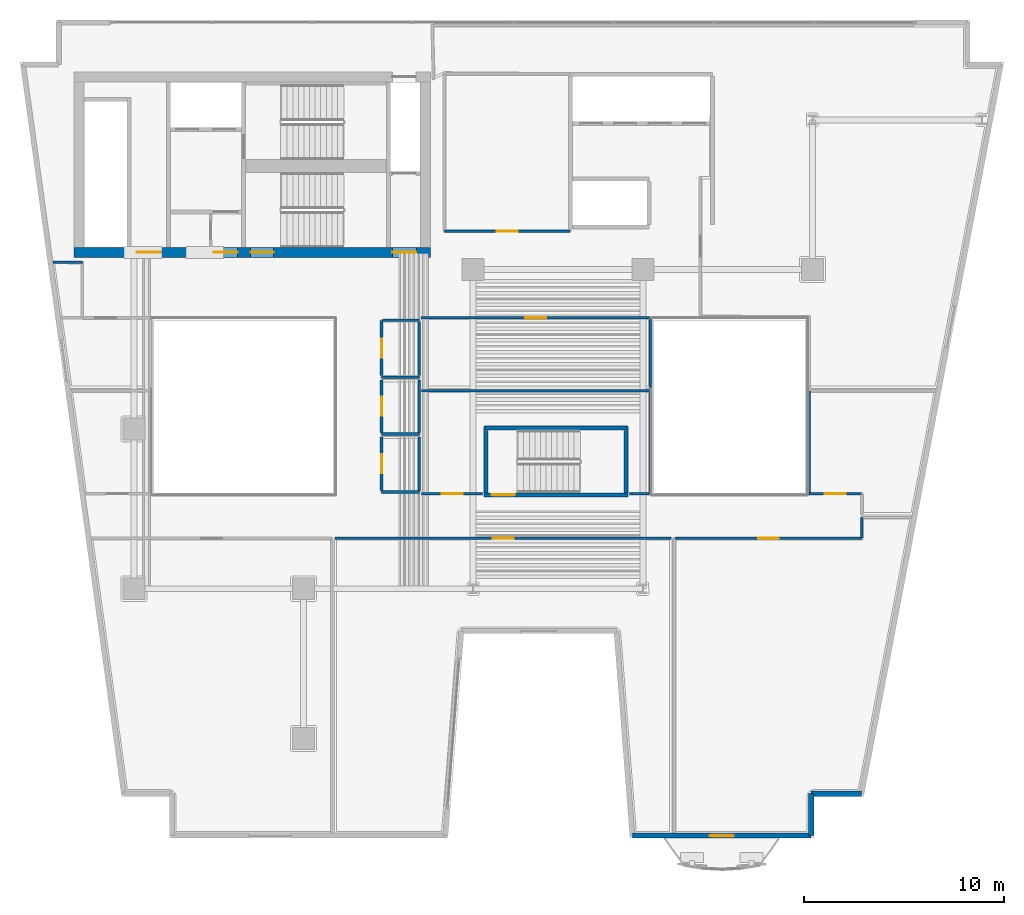
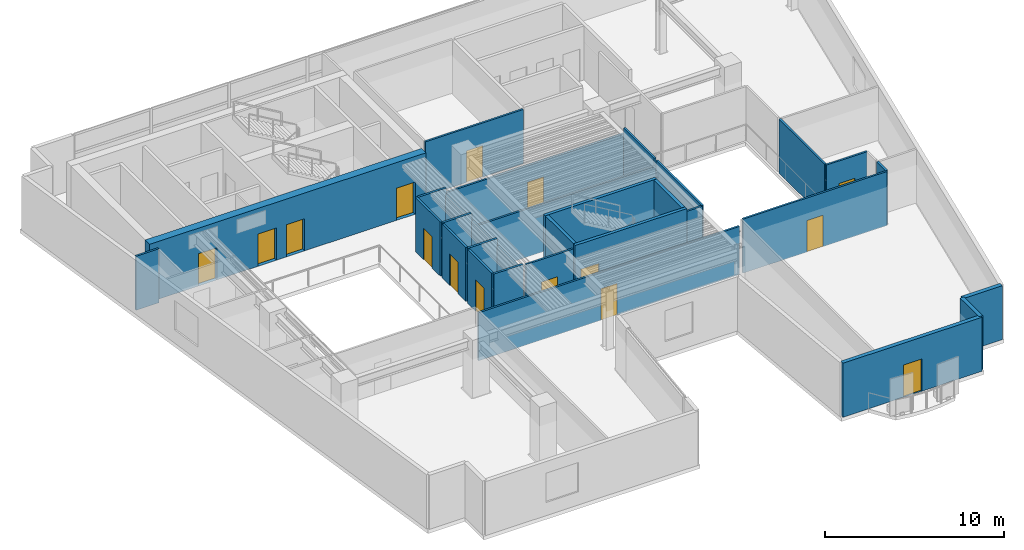
# One storey, part 6 of 13: 31 walls, 15 doors, 15 openings.
"""IFC4 building model written with IfcOpenShell, lengths in metres."""

from ifc_helpers import new_model, si_unit, direction, frame, frame_2d, origin, place, context, subcontext, project, spatial, rectangle, extrude, material, layer, layer_set, type_object, element, fill, save


model = new_model("IFC4")

# Units and contexts
model_context = context("Model", 3, precision=1e-05, world=origin(), true_north=direction((0.0, 1.0)))
body_context = subcontext(model_context, "Body", "Model", "MODEL_VIEW")
ifc_project = project(units=[si_unit("LENGTHUNIT", "METRE"), si_unit("AREAUNIT", "SQUARE_METRE"), si_unit("VOLUMEUNIT", "CUBIC_METRE"), si_unit("PLANEANGLEUNIT", "RADIAN"), si_unit("MASSUNIT", "GRAM", prefix="KILO")], contexts=[model_context])

# Site, building, storey
site_placement = place(None, origin())
site = spatial("IfcSite", under=ifc_project, at=site_placement, CompositionType="ELEMENT")
building_placement = place(site_placement, origin())
building = spatial("IfcBuilding", under=site, at=building_placement, Name="Caeloran Harvest Quay", CompositionType="ELEMENT")
storey_placement = place(building_placement, frame((0.0, 0.0, 143.0)))
storey = spatial("IfcBuildingStorey", under=building, at=storey_placement, Name="L33", CompositionType="ELEMENT", Elevation=143.0)

# Walls
ifc_material_1 = material(Name="Precast concrete C50/60", Category="concrete")
ifc_layer_1 = layer(ifc_material_1, 0.260009765625, Name="Precast concrete C50/60")
ifc_layer_set_1 = layer_set([ifc_layer_1], Name="Precast concrete C50/60")
wall_type_1 = type_object("IfcWallType", Name="ENV-WALL-EW-260", PredefinedType="STANDARD", material=ifc_layer_set_1)
wall_1_placement = place(storey_placement, frame((44.96337890625, 4.72998046875, 0.0), z_axis=(0.0, 0.0, 1.0), x_axis=(-1.0, 0.0, 0.0)))
element("IfcWall", 1, at=wall_1_placement, inside=storey, type_object=wall_type_1, Name="L33 Exterior Precast Concrete Facade Wall 10", PredefinedType="STANDARD", context=body_context, shape_type="SweptSolid", body=[
    extrude(rectangle(XDim=2.5234375, YDim=0.260009765625, at=frame_2d((1.26171875, 0.0))), origin(), (0.0, 0.0, 1.0), 3.68994140625),
])
wall_2_placement = place(storey_placement, frame((42.43994140625, 4.72998046875, 0.0), z_axis=(0.0, 0.0, 1.0), x_axis=(0.0, -1.0, 0.0)))
element("IfcWall", 2, at=wall_2_placement, inside=storey, type_object=wall_type_1, Name="L33 Exterior Precast Concrete Facade Wall 11", PredefinedType="STANDARD", context=body_context, shape_type="SweptSolid", body=[
    extrude(rectangle(XDim=2.10009765625, YDim=0.260009765625, at=frame_2d((1.050048828125, 0.0))), origin(), (0.0, 0.0, 1.0), 3.68994140625),
])

# Wall, opening, door
wall_3_placement = place(storey_placement, frame((42.43994140625, 2.6298828125, 0.0), z_axis=(0.0, 0.0, 1.0), x_axis=(-1.0, 0.0, 0.0)))
wall_3 = element("IfcWall", 3, at=wall_3_placement, inside=storey, type_object=wall_type_1, Name="L33 Exterior Precast Concrete Facade Wall 12", PredefinedType="STANDARD", context=body_context, shape_type="SweptSolid", body=[
    extrude(rectangle(XDim=8.96484375, YDim=0.260009765625, at=frame_2d((4.482421875, 0.0))), origin(), (0.0, 0.0, 1.0), 3.68994140625),
])
opening_1_placement = place(wall_3_placement, frame((3.882080078125, 0.0, 0.0)))
opening_1 = element("IfcOpeningElement", 4, at=opening_1_placement, cuts=wall_3, Name="Opening BD-01", PredefinedType="OPENING", context=body_context, shape_type="SweptSolid", body=[
    extrude(rectangle(XDim=1.199951171875, YDim=2.199951171875, at=frame_2d((0.60009765625, 1.10009765625))), frame((0.0, 0.14013671875, 0.0), z_axis=(0.0, -1.0, 0.0), x_axis=(1.0, 0.0, 0.0)), (0.0, 0.0, 1.0), 0.280029296875),
])
ifc_material_2 = material(Name="Thermally Broken Powder-Coated Aluminium and Safety Glass", Category="aluminium")
door_type_1 = type_object("IfcDoorType", Name="EXTDOOR-BD-01", OperationType="NOTDEFINED", PredefinedType="DOOR", material=ifc_material_2)
door_1_placement = place(opening_1_placement, origin())
door_1 = element("IfcDoor", 5, at=door_1_placement, inside=storey, type_object=door_type_1, Name="L33 Planted Balcony Glazed Access Door", OperationType="SINGLE_SWING_RIGHT", OverallHeight=2.199951171875, OverallWidth=1.199951171875, PredefinedType="DOOR", context=body_context, shape_type="SweptSolid", body=[
    extrude(rectangle(XDim=1.199951171875, YDim=2.199951171875, at=frame_2d((0.60009765625, 1.10009765625))), frame((0.0, 0.02490234375, 0.0), z_axis=(0.0, -1.0, 0.0), x_axis=(1.0, 0.0, 0.0)), (0.0, 0.0, 1.0), 0.050048828125),
])
fill(opening_1, door_1)

ifc_material_3 = material(Name="Twin-Stud Mineral-Wool Acoustic Gypsum Partition", Category="gypsum")
ifc_layer_2 = layer(ifc_material_3, 0.125, Name="Twin-Stud Mineral-Wool Acoustic Gypsum Partition")
ifc_layer_set_2 = layer_set([ifc_layer_2], Name="Twin-Stud Mineral-Wool Acoustic Gypsum Partition")
wall_type_2 = type_object("IfcWallType", Name="INT-WALL-PW-125", PredefinedType="PARTITIONING", material=ifc_layer_set_2)
wall_4_placement = place(storey_placement, frame((30.35009765625, 32.919921875, 0.0), z_axis=(0.0, 0.0, 1.0), x_axis=(-1.0, 0.0, 0.0)))
wall_4 = element("IfcWall", 6, at=wall_4_placement, inside=storey, type_object=wall_type_2, Name="L33 Bioinformatics and Crop Phenotyping Laboratory Partition Wall", PredefinedType="PARTITIONING", context=body_context, shape_type="SweptSolid", body=[
    extrude(rectangle(XDim=6.300048828125, YDim=0.125, at=frame_2d((3.14990234375, 0.0))), origin(), (0.0, 0.0, 1.0), 3.68994140625),
])
opening_2_placement = place(wall_4_placement, frame((2.625, 0.0, 0.0)))
opening_2 = element("IfcOpeningElement", 7, at=opening_2_placement, cuts=wall_4, Name="Opening ID-03", PredefinedType="OPENING", context=body_context, shape_type="SweptSolid", body=[
    extrude(rectangle(XDim=1.050048828125, YDim=2.14990234375, at=frame_2d((0.52490234375, 1.074951171875))), frame((0.0, 0.072509765625, 0.0), z_axis=(0.0, -1.0, 0.0), x_axis=(1.0, 0.0, 0.0)), (0.0, 0.0, 1.0), 0.14501953125),
])
ifc_material_4 = material(Name="FSC Solid-Core Oak Timber Leaf", Category="wood")
door_type_2 = type_object("IfcDoorType", Name="INTDOOR-ID-03", OperationType="NOTDEFINED", PredefinedType="DOOR", material=ifc_material_4)
door_2_placement = place(opening_2_placement, origin())
door_2 = element("IfcDoor", 8, at=door_2_placement, inside=storey, type_object=door_type_2, Name="L33 Bioinformatics and Crop Phenotyping Laboratory Access Door", OperationType="SINGLE_SWING_LEFT", OverallHeight=2.14990234375, OverallWidth=1.050048828125, PredefinedType="DOOR", context=body_context, shape_type="SweptSolid", body=[
    extrude(rectangle(XDim=1.050048828125, YDim=2.14990234375, at=frame_2d((0.52490234375, 1.074951171875))), frame((0.0, 0.02490234375, 0.0), z_axis=(0.0, -1.0, 0.0), x_axis=(1.0, 0.0, 0.0)), (0.0, 0.0, 1.0), 0.050048828125),
])
fill(opening_2, door_2)

# Wall
wall_5_placement = place(storey_placement, frame((44.97998046875, 17.550048828125, 0.0), z_axis=(0.0, 0.0, 1.0), x_axis=(0.0, 1.0, 0.0)))
element("IfcWall", 9, at=wall_5_placement, inside=storey, type_object=wall_type_2, Name="Food Texture Sensory Laboratory Partition Wall", PredefinedType="PARTITIONING", context=body_context, shape_type="SweptSolid", body=[
    extrude(rectangle(XDim=1.02001953125, YDim=0.125, at=frame_2d((0.510009765625, 0.0))), origin(), (0.0, 0.0, 1.0), 3.68994140625),
])

# Wall, opening, door
wall_6_placement = place(storey_placement, frame((35.6474609375, 17.52001953125, 0.0), z_axis=(0.0, 0.0, 1.0), x_axis=(1.0, 0.0, 0.0)))
wall_6 = element("IfcWall", 10, at=wall_6_placement, inside=storey, type_object=wall_type_2, Name="Food Texture Sensory Laboratory Partition Wall", PredefinedType="PARTITIONING", context=body_context, shape_type="SweptSolid", body=[
    extrude(rectangle(XDim=9.302490234375, YDim=0.125, at=frame_2d((4.6513671875, 0.0))), origin(), (0.0, 0.0, 1.0), 3.68994140625),
])
opening_3_placement = place(wall_6_placement, frame((4.126220703125, 0.0, 0.0)))
opening_3 = element("IfcOpeningElement", 11, at=opening_3_placement, cuts=wall_6, Name="Opening ID-03", PredefinedType="OPENING", context=body_context, shape_type="SweptSolid", body=[
    extrude(rectangle(XDim=1.050048828125, YDim=2.14990234375, at=frame_2d((0.52490234375, 1.074951171875))), frame((0.0, 0.072509765625, 0.0), z_axis=(0.0, -1.0, 0.0), x_axis=(1.0, 0.0, 0.0)), (0.0, 0.0, 1.0), 0.14501953125),
])
door_3_placement = place(opening_3_placement, origin())
door_3 = element("IfcDoor", 12, at=door_3_placement, inside=storey, type_object=door_type_2, Name="Food Texture Sensory Laboratory Access Door", OperationType="SINGLE_SWING_RIGHT", OverallHeight=2.14990234375, OverallWidth=1.050048828125, PredefinedType="DOOR", context=body_context, shape_type="SweptSolid", body=[
    extrude(rectangle(XDim=1.050048828125, YDim=2.14990234375, at=frame_2d((0.52490234375, 1.074951171875))), frame((0.0, 0.02490234375, 0.0), z_axis=(0.0, -1.0, 0.0), x_axis=(1.0, 0.0, 0.0)), (0.0, 0.0, 1.0), 0.050048828125),
])
fill(opening_3, door_3)

wall_7_placement = place(storey_placement, frame((18.580078125, 17.52001953125, 0.0), z_axis=(0.0, 0.0, 1.0), x_axis=(1.0, 0.0, 0.0)))
wall_7 = element("IfcWall", 13, at=wall_7_placement, inside=storey, type_object=wall_type_2, Name="Fermentation Pilot Laboratory Partition Wall", PredefinedType="PARTITIONING", context=body_context, shape_type="SweptSolid", body=[
    extrude(rectangle(XDim=16.83984375, YDim=0.125, at=frame_2d((8.419921875, 0.0))), origin(), (0.0, 0.0, 1.0), 3.27490234375),
])
opening_4_placement = place(wall_7_placement, frame((7.89501953125, 0.0, 0.0)))
opening_4 = element("IfcOpeningElement", 14, at=opening_4_placement, cuts=wall_7, Name="Opening ID-03", PredefinedType="OPENING", context=body_context, shape_type="SweptSolid", body=[
    extrude(rectangle(XDim=1.050048828125, YDim=2.14990234375, at=frame_2d((0.52490234375, 1.074951171875))), frame((0.0, 0.072509765625, 0.0), z_axis=(0.0, -1.0, 0.0), x_axis=(1.0, 0.0, 0.0)), (0.0, 0.0, 1.0), 0.14501953125),
])
door_4_placement = place(opening_4_placement, origin())
door_4 = element("IfcDoor", 15, at=door_4_placement, inside=storey, type_object=door_type_2, Name="Fermentation Pilot Laboratory Access Door", OperationType="SINGLE_SWING_LEFT", OverallHeight=2.14990234375, OverallWidth=1.050048828125, PredefinedType="DOOR", context=body_context, shape_type="SweptSolid", body=[
    extrude(rectangle(XDim=1.050048828125, YDim=2.14990234375, at=frame_2d((0.52490234375, 1.074951171875))), frame((0.0, 0.02490234375, 0.0), z_axis=(0.0, -1.0, 0.0), x_axis=(1.0, 0.0, 0.0)), (0.0, 0.0, 1.0), 0.050048828125),
])
fill(opening_4, door_4)

wall_8_placement = place(storey_placement, frame((44.949951171875, 19.75, 0.0), z_axis=(0.0, 0.0, 1.0), x_axis=(-1.0, 0.0, 0.0)))
wall_8 = element("IfcWall", 16, at=wall_8_placement, inside=storey, type_object=wall_type_2, Name="Bioreactor Pilot Hall Partition Wall", PredefinedType="PARTITIONING", context=body_context, shape_type="SweptSolid", body=[
    extrude(rectangle(XDim=2.619873046875, YDim=0.125, at=frame_2d((1.31005859375, 0.0))), origin(), (0.0, 0.0, 1.0), 3.68994140625),
])
opening_5_placement = place(wall_8_placement, frame((0.784912109375, 0.0, 0.0)))
opening_5 = element("IfcOpeningElement", 17, at=opening_5_placement, cuts=wall_8, Name="Opening ID-03", PredefinedType="OPENING", context=body_context, shape_type="SweptSolid", body=[
    extrude(rectangle(XDim=1.050048828125, YDim=2.14990234375, at=frame_2d((0.52490234375, 1.074951171875))), frame((0.0, 0.072509765625, 0.0), z_axis=(0.0, -1.0, 0.0), x_axis=(1.0, 0.0, 0.0)), (0.0, 0.0, 1.0), 0.14501953125),
])
door_5_placement = place(opening_5_placement, origin())
door_5 = element("IfcDoor", 18, at=door_5_placement, inside=storey, type_object=door_type_2, Name="Bioreactor Pilot Hall Access Door", OperationType="SINGLE_SWING_RIGHT", OverallHeight=2.14990234375, OverallWidth=1.050048828125, PredefinedType="DOOR", context=body_context, shape_type="SweptSolid", body=[
    extrude(rectangle(XDim=1.050048828125, YDim=2.14990234375, at=frame_2d((0.52490234375, 1.074951171875))), frame((0.0, 0.02490234375, 0.0), z_axis=(0.0, -1.0, 0.0), x_axis=(1.0, 0.0, 0.0)), (0.0, 0.0, 1.0), 0.050048828125),
])
fill(opening_5, door_5)

# Wall
wall_9_placement = place(storey_placement, frame((42.330078125, 19.8173828125, 0.0), z_axis=(0.0, 0.0, 1.0), x_axis=(0.0, 1.0, 0.0)))
element("IfcWall", 19, at=wall_9_placement, inside=storey, type_object=wall_type_2, Name="Bioreactor Pilot Hall Partition Wall", PredefinedType="PARTITIONING", context=body_context, shape_type="SweptSolid", body=[
    extrude(rectangle(XDim=5.1025390625, YDim=0.125, at=frame_2d((2.55126953125, 0.0))), origin(), (0.0, 0.0, 1.0), 3.68994140625),
])

# Wall, opening, door
wall_10_placement = place(storey_placement, frame((25.9755859375, 19.75, 0.0), z_axis=(0.0, 0.0, 1.0), x_axis=(-1.0, 0.0, 0.0)))
wall_10 = element("IfcWall", 20, at=wall_10_placement, inside=storey, type_object=wall_type_2, Name="Sensory Tasting Kitchen Partition Wall", PredefinedType="PARTITIONING", context=body_context, shape_type="SweptSolid", body=[
    extrude(rectangle(XDim=3.065673828125, YDim=0.125, at=frame_2d((1.53271484375, 0.0))), origin(), (0.0, 0.0, 1.0), 3.68994140625),
])
opening_6_placement = place(wall_10_placement, frame((1.0078125, 0.0, 0.0)))
opening_6 = element("IfcOpeningElement", 21, at=opening_6_placement, cuts=wall_10, Name="Opening ID-03", PredefinedType="OPENING", context=body_context, shape_type="SweptSolid", body=[
    extrude(rectangle(XDim=1.050048828125, YDim=2.14990234375, at=frame_2d((0.52490234375, 1.074951171875))), frame((0.0, 0.072509765625, 0.0), z_axis=(0.0, -1.0, 0.0), x_axis=(1.0, 0.0, 0.0)), (0.0, 0.0, 1.0), 0.14501953125),
])
door_6_placement = place(opening_6_placement, origin())
door_6 = element("IfcDoor", 22, at=door_6_placement, inside=storey, type_object=door_type_2, Name="Sensory Tasting Kitchen Access Door", OperationType="SINGLE_SWING_RIGHT", OverallHeight=2.14990234375, OverallWidth=1.050048828125, PredefinedType="DOOR", context=body_context, shape_type="SweptSolid", body=[
    extrude(rectangle(XDim=1.050048828125, YDim=2.14990234375, at=frame_2d((0.52490234375, 1.074951171875))), frame((0.0, 0.02490234375, 0.0), z_axis=(0.0, -1.0, 0.0), x_axis=(1.0, 0.0, 0.0)), (0.0, 0.0, 1.0), 0.050048828125),
])
fill(opening_6, door_6)

# Walls
wall_11_placement = place(storey_placement, frame((22.909912109375, 24.919921875, 0.0), z_axis=(0.0, 0.0, 1.0), x_axis=(1.0, 0.0, 0.0)))
element("IfcWall", 23, at=wall_11_placement, inside=storey, type_object=wall_type_2, Name="Sensory Tasting Kitchen Partition Wall", PredefinedType="PARTITIONING", context=body_context, shape_type="SweptSolid", body=[
    extrude(rectangle(XDim=11.460205078125, YDim=0.125, at=frame_2d((5.72998046875, 0.0))), origin(), (0.0, 0.0, 1.0), 3.27490234375),
])
wall_12_placement = place(storey_placement, frame((34.3701171875, 24.8525390625, 0.0), z_axis=(0.0, 0.0, 1.0), x_axis=(0.0, -1.0, 0.0)))
element("IfcWall", 24, at=wall_12_placement, inside=storey, type_object=wall_type_2, Name="Sensory Tasting Kitchen Partition Wall", PredefinedType="PARTITIONING", context=body_context, shape_type="SweptSolid", body=[
    extrude(rectangle(XDim=5.1025390625, YDim=0.125, at=frame_2d((2.55126953125, 0.0))), origin(), (0.0, 0.0, 1.0), 3.68994140625),
])
wall_13_placement = place(storey_placement, frame((34.302490234375, 19.75, 0.0), z_axis=(0.0, 0.0, 1.0), x_axis=(-1.0, 0.0, 0.0)))
element("IfcWall", 25, at=wall_13_placement, inside=storey, type_object=wall_type_2, Name="Sensory Tasting Kitchen Partition Wall", PredefinedType="PARTITIONING", context=body_context, shape_type="SweptSolid", body=[
    extrude(rectangle(XDim=0.97802734375, YDim=0.125, at=frame_2d((0.489013671875, 0.0))), origin(), (0.0, 0.0, 1.0), 3.68994140625),
])

# Wall, opening, door
wall_14_placement = place(storey_placement, frame((22.889892578125, 28.570068359375, 0.0), z_axis=(0.0, 0.0, 1.0), x_axis=(1.0, 0.0, 0.0)))
wall_14 = element("IfcWall", 26, at=wall_14_placement, inside=storey, type_object=wall_type_2, Name="Staff Wellness Lounge Partition Wall", PredefinedType="PARTITIONING", context=body_context, shape_type="SweptSolid", body=[
    extrude(rectangle(XDim=11.480224609375, YDim=0.125, at=frame_2d((5.740234375, 0.0))), origin(), (0.0, 0.0, 1.0), 3.27490234375),
])
opening_7_placement = place(wall_14_placement, frame((5.215087890625, 0.0, 0.0)))
opening_7 = element("IfcOpeningElement", 27, at=opening_7_placement, cuts=wall_14, Name="Opening ID-03", PredefinedType="OPENING", context=body_context, shape_type="SweptSolid", body=[
    extrude(rectangle(XDim=1.050048828125, YDim=2.14990234375, at=frame_2d((0.52490234375, 1.074951171875))), frame((0.0, 0.072509765625, 0.0), z_axis=(0.0, -1.0, 0.0), x_axis=(1.0, 0.0, 0.0)), (0.0, 0.0, 1.0), 0.14501953125),
])
door_7_placement = place(opening_7_placement, origin())
door_7 = element("IfcDoor", 28, at=door_7_placement, inside=storey, type_object=door_type_2, Name="Staff Wellness Lounge Access Door", OperationType="SINGLE_SWING_LEFT", OverallHeight=2.14990234375, OverallWidth=1.050048828125, PredefinedType="DOOR", context=body_context, shape_type="SweptSolid", body=[
    extrude(rectangle(XDim=1.050048828125, YDim=2.14990234375, at=frame_2d((0.52490234375, 1.074951171875))), frame((0.0, 0.02490234375, 0.0), z_axis=(0.0, -1.0, 0.0), x_axis=(1.0, 0.0, 0.0)), (0.0, 0.0, 1.0), 0.050048828125),
])
fill(opening_7, door_7)

# Walls
wall_15_placement = place(storey_placement, frame((34.3701171875, 28.50244140625, 0.0), z_axis=(0.0, 0.0, 1.0), x_axis=(0.0, -1.0, 0.0)))
element("IfcWall", 29, at=wall_15_placement, inside=storey, type_object=wall_type_2, Name="Staff Wellness Lounge Partition Wall", PredefinedType="PARTITIONING", context=body_context, shape_type="SweptSolid", body=[
    extrude(rectangle(XDim=3.42236328125, YDim=0.125, at=frame_2d((1.711181640625, 0.0))), origin(), (0.0, 0.0, 1.0), 3.68994140625),
])
wall_16_placement = place(storey_placement, frame((4.44775390625, 31.35009765625, 0.0), z_axis=(0.0, 0.0, 1.0), x_axis=(1.0, 0.0, 0.0)))
element("IfcWall", 30, at=wall_16_placement, inside=storey, type_object=wall_type_2, Name="Cellular Agriculture Bioprocess Laboratory 8 Partition Wall", PredefinedType="PARTITIONING", context=body_context, shape_type="SweptSolid", body=[
    extrude(rectangle(XDim=1.47216796875, YDim=0.125, at=frame_2d((0.736083984375, 0.0))), origin(), (0.0, 0.0, 1.0), 3.68994140625),
])
ifc_material_5 = material(Name="Moisture-Resistant Cement-Board Sanitary Partition", Category="gypsum")
ifc_layer_3 = layer(ifc_material_5, 0.139892578125, Name="Moisture-Resistant Cement-Board Sanitary Partition")
ifc_layer_set_3 = layer_set([ifc_layer_3], Name="Moisture-Resistant Cement-Board Sanitary Partition")
wall_type_3 = type_object("IfcWallType", Name="INT-WALL-PW-140", PredefinedType="PARTITIONING", material=ifc_layer_set_3)
wall_17_placement = place(storey_placement, frame((22.800048828125, 25.60009765625, 0.0), z_axis=(0.0, 0.0, 1.0), x_axis=(-1.0, 0.0, 0.0)))
element("IfcWall", 31, at=wall_17_placement, inside=storey, type_object=wall_type_3, Name="L33 Male Washroom WC Partition Wall", PredefinedType="PARTITIONING", context=body_context, shape_type="SweptSolid", body=[
    extrude(rectangle(XDim=1.89013671875, YDim=0.139892578125, at=frame_2d((0.945068359375, 0.0))), origin(), (0.0, 0.0, 1.0), 3.68994140625),
])

# Wall, opening, door
wall_18_placement = place(storey_placement, frame((20.909912109375, 25.675048828125, 0.0), z_axis=(0.0, 0.0, 1.0), x_axis=(0.0, 1.0, 0.0)))
wall_18 = element("IfcWall", 32, at=wall_18_placement, inside=storey, type_object=wall_type_3, Name="L33 Male Washroom WC Partition Wall", PredefinedType="PARTITIONING", context=body_context, shape_type="SweptSolid", body=[
    extrude(rectangle(XDim=2.77490234375, YDim=0.139892578125, at=frame_2d((1.387451171875, 0.0))), origin(), (0.0, 0.0, 1.0), 3.68994140625),
])
opening_8_placement = place(wall_18_placement, frame((0.91259765625, 0.0, 0.0)))
opening_8 = element("IfcOpeningElement", 33, at=opening_8_placement, cuts=wall_18, Name="Opening WC-01", PredefinedType="OPENING", context=body_context, shape_type="SweptSolid", body=[
    extrude(rectangle(XDim=0.949951171875, YDim=2.14990234375, at=frame_2d((0.47509765625, 1.074951171875))), frame((0.0, 0.080078125, 0.0), z_axis=(0.0, -1.0, 0.0), x_axis=(1.0, 0.0, 0.0)), (0.0, 0.0, 1.0), 0.159912109375),
])
ifc_material_6 = material(Name="High-Pressure Laminate Moisture-Resistant Timber", Category="wood")
door_type_3 = type_object("IfcDoorType", Name="INTDOOR-WC-01", OperationType="NOTDEFINED", PredefinedType="DOOR", material=ifc_material_6)
door_8_placement = place(opening_8_placement, origin())
door_8 = element("IfcDoor", 34, at=door_8_placement, inside=storey, type_object=door_type_3, Name="L33 Male Washroom WC Access Door", OperationType="SINGLE_SWING_RIGHT", OverallHeight=2.14990234375, OverallWidth=0.949951171875, PredefinedType="DOOR", context=body_context, shape_type="SweptSolid", body=[
    extrude(rectangle(XDim=0.949951171875, YDim=2.14990234375, at=frame_2d((0.47509765625, 1.074951171875))), frame((0.0, 0.02490234375, 0.0), z_axis=(0.0, -1.0, 0.0), x_axis=(1.0, 0.0, 0.0)), (0.0, 0.0, 1.0), 0.050048828125),
])
fill(opening_8, door_8)

# Walls
wall_19_placement = place(storey_placement, frame((20.985107421875, 28.449951171875, 0.0), z_axis=(0.0, 0.0, 1.0), x_axis=(1.0, 0.0, 0.0)))
element("IfcWall", 35, at=wall_19_placement, inside=storey, type_object=wall_type_3, Name="L33 Male Washroom WC Partition Wall", PredefinedType="PARTITIONING", context=body_context, shape_type="SweptSolid", body=[
    extrude(rectangle(XDim=1.81494140625, YDim=0.139892578125, at=frame_2d((0.907470703125, 0.0))), origin(), (0.0, 0.0, 1.0), 3.68994140625),
])
wall_20_placement = place(storey_placement, frame((22.800048828125, 28.375, 0.0), z_axis=(0.0, 0.0, 1.0), x_axis=(0.0, -1.0, 0.0)))
element("IfcWall", 36, at=wall_20_placement, inside=storey, type_object=wall_type_3, Name="L33 Male Washroom WC Partition Wall", PredefinedType="PARTITIONING", context=body_context, shape_type="SweptSolid", body=[
    extrude(rectangle(XDim=2.699951171875, YDim=0.139892578125, at=frame_2d((1.35009765625, 0.0))), origin(), (0.0, 0.0, 1.0), 3.27490234375),
])
wall_21_placement = place(storey_placement, frame((22.800048828125, 22.75, 0.0), z_axis=(0.0, 0.0, 1.0), x_axis=(-1.0, 0.0, 0.0)))
element("IfcWall", 37, at=wall_21_placement, inside=storey, type_object=wall_type_3, Name="L33 Female Washroom WC Partition Wall", PredefinedType="PARTITIONING", context=body_context, shape_type="SweptSolid", body=[
    extrude(rectangle(XDim=1.89013671875, YDim=0.139892578125, at=frame_2d((0.945068359375, 0.0))), origin(), (0.0, 0.0, 1.0), 3.68994140625),
])

# Wall, opening, door
wall_22_placement = place(storey_placement, frame((20.909912109375, 22.824951171875, 0.0), z_axis=(0.0, 0.0, 1.0), x_axis=(0.0, 1.0, 0.0)))
wall_22 = element("IfcWall", 38, at=wall_22_placement, inside=storey, type_object=wall_type_3, Name="L33 Female Washroom WC Partition Wall", PredefinedType="PARTITIONING", context=body_context, shape_type="SweptSolid", body=[
    extrude(rectangle(XDim=2.625, YDim=0.139892578125, at=frame_2d((1.3125, 0.0))), origin(), (0.0, 0.0, 1.0), 3.68994140625),
])
opening_9_placement = place(wall_22_placement, frame((0.83740234375, 0.0, 0.0)))
opening_9 = element("IfcOpeningElement", 39, at=opening_9_placement, cuts=wall_22, Name="Opening WC-01", PredefinedType="OPENING", context=body_context, shape_type="SweptSolid", body=[
    extrude(rectangle(XDim=0.949951171875, YDim=2.14990234375, at=frame_2d((0.47509765625, 1.074951171875))), frame((0.0, 0.080078125, 0.0), z_axis=(0.0, -1.0, 0.0), x_axis=(1.0, 0.0, 0.0)), (0.0, 0.0, 1.0), 0.159912109375),
])
door_9_placement = place(opening_9_placement, origin())
door_9 = element("IfcDoor", 40, at=door_9_placement, inside=storey, type_object=door_type_3, Name="L33 Female Washroom WC Access Door", OperationType="SINGLE_SWING_LEFT", OverallHeight=2.14990234375, OverallWidth=0.949951171875, PredefinedType="DOOR", context=body_context, shape_type="SweptSolid", body=[
    extrude(rectangle(XDim=0.949951171875, YDim=2.14990234375, at=frame_2d((0.47509765625, 1.074951171875))), frame((0.0, 0.02490234375, 0.0), z_axis=(0.0, -1.0, 0.0), x_axis=(1.0, 0.0, 0.0)), (0.0, 0.0, 1.0), 0.050048828125),
])
fill(opening_9, door_9)

# Walls
wall_23_placement = place(storey_placement, frame((22.800048828125, 25.449951171875, 0.0), z_axis=(0.0, 0.0, 1.0), x_axis=(0.0, -1.0, 0.0)))
element("IfcWall", 41, at=wall_23_placement, inside=storey, type_object=wall_type_3, Name="L33 Female Washroom WC Partition Wall", PredefinedType="PARTITIONING", context=body_context, shape_type="SweptSolid", body=[
    extrude(rectangle(XDim=2.625, YDim=0.139892578125, at=frame_2d((1.3125, 0.0))), origin(), (0.0, 0.0, 1.0), 3.27490234375),
])
wall_24_placement = place(storey_placement, frame((22.800048828125, 19.85009765625, 0.0), z_axis=(0.0, 0.0, 1.0), x_axis=(-1.0, 0.0, 0.0)))
element("IfcWall", 42, at=wall_24_placement, inside=storey, type_object=wall_type_3, Name="L33 Accessible Unisex Washroom WC Partition Wall", PredefinedType="PARTITIONING", context=body_context, shape_type="SweptSolid", body=[
    extrude(rectangle(XDim=1.89013671875, YDim=0.139892578125, at=frame_2d((0.945068359375, 0.0))), origin(), (0.0, 0.0, 1.0), 3.68994140625),
])

# Wall, opening, door
wall_25_placement = place(storey_placement, frame((20.909912109375, 19.925048828125, 0.0), z_axis=(0.0, 0.0, 1.0), x_axis=(0.0, 1.0, 0.0)))
wall_25 = element("IfcWall", 43, at=wall_25_placement, inside=storey, type_object=wall_type_3, Name="L33 Accessible Unisex Washroom WC Partition Wall", PredefinedType="PARTITIONING", context=body_context, shape_type="SweptSolid", body=[
    extrude(rectangle(XDim=2.675048828125, YDim=0.139892578125, at=frame_2d((1.33740234375, 0.0))), origin(), (0.0, 0.0, 1.0), 3.68994140625),
])
opening_10_placement = place(wall_25_placement, frame((0.862548828125, 0.0, 0.0)))
opening_10 = element("IfcOpeningElement", 44, at=opening_10_placement, cuts=wall_25, Name="Opening WC-01", PredefinedType="OPENING", context=body_context, shape_type="SweptSolid", body=[
    extrude(rectangle(XDim=0.949951171875, YDim=2.14990234375, at=frame_2d((0.47509765625, 1.074951171875))), frame((0.0, 0.080078125, 0.0), z_axis=(0.0, -1.0, 0.0), x_axis=(1.0, 0.0, 0.0)), (0.0, 0.0, 1.0), 0.159912109375),
])
door_10_placement = place(opening_10_placement, origin())
door_10 = element("IfcDoor", 45, at=door_10_placement, inside=storey, type_object=door_type_3, Name="L33 Accessible Unisex Washroom WC Access Door", OperationType="SINGLE_SWING_RIGHT", OverallHeight=2.14990234375, OverallWidth=0.949951171875, PredefinedType="DOOR", context=body_context, shape_type="SweptSolid", body=[
    extrude(rectangle(XDim=0.949951171875, YDim=2.14990234375, at=frame_2d((0.47509765625, 1.074951171875))), frame((0.0, 0.02490234375, 0.0), z_axis=(0.0, -1.0, 0.0), x_axis=(1.0, 0.0, 0.0)), (0.0, 0.0, 1.0), 0.050048828125),
])
fill(opening_10, door_10)

# Wall
wall_26_placement = place(storey_placement, frame((22.800048828125, 22.60009765625, 0.0), z_axis=(0.0, 0.0, 1.0), x_axis=(0.0, -1.0, 0.0)))
element("IfcWall", 46, at=wall_26_placement, inside=storey, type_object=wall_type_3, Name="L33 Accessible Unisex Washroom WC Partition Wall", PredefinedType="PARTITIONING", context=body_context, shape_type="SweptSolid", body=[
    extrude(rectangle(XDim=2.675048828125, YDim=0.139892578125, at=frame_2d((1.33740234375, 0.0))), origin(), (0.0, 0.0, 1.0), 3.27490234375),
])

# Wall, openings, doors
ifc_material_7 = material(Name="Concrete C70/85", Category="concrete")
ifc_layer_4 = layer(ifc_material_7, 0.5, Name="Concrete C70/85")
ifc_layer_set_4 = layer_set([ifc_layer_4], Name="Concrete C70/85")
wall_type_4 = type_object("IfcWallType", Name="STR-WALL-CW-500", PredefinedType="SHEAR", material=ifc_layer_set_4)
wall_27_placement = place(storey_placement, frame((5.5, 31.85009765625, 0.0), z_axis=(0.0, 0.0, 1.0), x_axis=(1.0, 0.0, 0.0)))
wall_27 = element("IfcWall", 47, at=wall_27_placement, inside=storey, type_object=wall_type_4, Name="L33 Rear Core Shear Wall S", PredefinedType="SHEAR", context=body_context, shape_type="SweptSolid", body=[
    extrude(rectangle(XDim=17.85009765625, YDim=0.5, at=frame_2d((8.925048828125, 0.0))), origin(), (0.0, 0.0, 1.0), 3.949951171875),
])
opening_11_placement = place(wall_27_placement, frame((3.14990234375, 0.0, 0.0)))
opening_11 = element("IfcOpeningElement", 48, at=opening_11_placement, cuts=wall_27, Name="Opening FD-01", PredefinedType="OPENING", context=body_context, shape_type="SweptSolid", body=[
    extrude(rectangle(XDim=1.199951171875, YDim=2.199951171875, at=frame_2d((0.60009765625, 1.10009765625))), frame((0.0, 0.260009765625, 0.0), z_axis=(0.0, -1.0, 0.0), x_axis=(1.0, 0.0, 0.0)), (0.0, 0.0, 1.0), 0.52001953125),
])
opening_12_placement = place(wall_27_placement, frame((7.0, 0.0, 0.0)))
opening_12 = element("IfcOpeningElement", 49, at=opening_12_placement, cuts=wall_27, Name="Opening FD-01", PredefinedType="OPENING", context=body_context, shape_type="SweptSolid", body=[
    extrude(rectangle(XDim=1.199951171875, YDim=2.199951171875, at=frame_2d((0.60009765625, 1.10009765625))), frame((0.0, 0.260009765625, 0.0), z_axis=(0.0, -1.0, 0.0), x_axis=(1.0, 0.0, 0.0)), (0.0, 0.0, 1.0), 0.52001953125),
])
opening_13_placement = place(wall_27_placement, frame((8.85009765625, 0.0, 0.0)))
opening_13 = element("IfcOpeningElement", 50, at=opening_13_placement, cuts=wall_27, Name="Opening SD-01", PredefinedType="OPENING", context=body_context, shape_type="SweptSolid", body=[
    extrude(rectangle(XDim=1.14990234375, YDim=2.199951171875, at=frame_2d((0.574951171875, 1.10009765625))), frame((0.0, 0.260009765625, 0.0), z_axis=(0.0, -1.0, 0.0), x_axis=(1.0, 0.0, 0.0)), (0.0, 0.0, 1.0), 0.52001953125),
])
opening_14_placement = place(wall_27_placement, frame((15.949951171875, 0.0, 0.0)))
opening_14 = element("IfcOpeningElement", 51, at=opening_14_placement, cuts=wall_27, Name="Opening FD-01", PredefinedType="OPENING", context=body_context, shape_type="SweptSolid", body=[
    extrude(rectangle(XDim=1.199951171875, YDim=2.199951171875, at=frame_2d((0.60009765625, 1.10009765625))), frame((0.0, 0.260009765625, 0.0), z_axis=(0.0, -1.0, 0.0), x_axis=(1.0, 0.0, 0.0)), (0.0, 0.0, 1.0), 0.52001953125),
])
ifc_material_8 = material(Name="Steel", Category="steel")
door_type_4 = type_object("IfcDoorType", Name="INTDOOR-FD-01", OperationType="NOTDEFINED", PredefinedType="DOOR", material=ifc_material_8)
door_11_placement = place(opening_11_placement, origin())
door_11 = element("IfcDoor", 52, at=door_11_placement, inside=storey, type_object=door_type_4, Name="L33 High-Rise Lift Lobby Fire Door", OperationType="SINGLE_SWING_LEFT", OverallHeight=2.199951171875, OverallWidth=1.199951171875, PredefinedType="DOOR", context=body_context, shape_type="SweptSolid", body=[
    extrude(rectangle(XDim=1.199951171875, YDim=2.199951171875, at=frame_2d((0.60009765625, 1.10009765625))), frame((0.0, 0.02490234375, 0.0), z_axis=(0.0, -1.0, 0.0), x_axis=(1.0, 0.0, 0.0)), (0.0, 0.0, 1.0), 0.050048828125),
])
fill(opening_11, door_11)
door_12_placement = place(opening_12_placement, origin())
door_12 = element("IfcDoor", 53, at=door_12_placement, inside=storey, type_object=door_type_4, Name="L33 Firefighting Lobby Vestibule Fire Door", OperationType="SINGLE_SWING_RIGHT", OverallHeight=2.199951171875, OverallWidth=1.199951171875, PredefinedType="DOOR", context=body_context, shape_type="SweptSolid", body=[
    extrude(rectangle(XDim=1.199951171875, YDim=2.199951171875, at=frame_2d((0.60009765625, 1.10009765625))), frame((0.0, 0.02490234375, 0.0), z_axis=(0.0, -1.0, 0.0), x_axis=(1.0, 0.0, 0.0)), (0.0, 0.0, 1.0), 0.050048828125),
])
fill(opening_12, door_12)
door_13_placement = place(opening_14_placement, origin())
door_13 = element("IfcDoor", 54, at=door_13_placement, inside=storey, type_object=door_type_4, Name="L33 Service Lift Lobby Fire Door", OperationType="SINGLE_SWING_RIGHT", OverallHeight=2.199951171875, OverallWidth=1.199951171875, PredefinedType="DOOR", context=body_context, shape_type="SweptSolid", body=[
    extrude(rectangle(XDim=1.199951171875, YDim=2.199951171875, at=frame_2d((0.60009765625, 1.10009765625))), frame((0.0, 0.02490234375, 0.0), z_axis=(0.0, -1.0, 0.0), x_axis=(1.0, 0.0, 0.0)), (0.0, 0.0, 1.0), 0.050048828125),
])
fill(opening_14, door_13)
door_type_5 = type_object("IfcDoorType", Name="INTDOOR-SD-01", OperationType="NOTDEFINED", PredefinedType="DOOR", material=ifc_material_8)
door_14_placement = place(opening_13_placement, origin())
door_14 = element("IfcDoor", 55, at=door_14_placement, inside=storey, type_object=door_type_5, Name="L33 Protected Stair ST-C2 Exit Door", OperationType="SINGLE_SWING_LEFT", OverallHeight=2.199951171875, OverallWidth=1.14990234375, PredefinedType="DOOR", context=body_context, shape_type="SweptSolid", body=[
    extrude(rectangle(XDim=1.14990234375, YDim=2.199951171875, at=frame_2d((0.574951171875, 1.10009765625))), frame((0.0, 0.02490234375, 0.0), z_axis=(0.0, -1.0, 0.0), x_axis=(1.0, 0.0, 0.0)), (0.0, 0.0, 1.0), 0.050048828125),
])
fill(opening_13, door_14)

# Wall, opening, door
ifc_material_9 = material(Name="Concrete C60/75", Category="concrete")
ifc_layer_5 = layer(ifc_material_9, 0.199951171875, Name="Concrete C60/75")
ifc_layer_set_5 = layer_set([ifc_layer_5], Name="Concrete C60/75")
wall_type_5 = type_object("IfcWallType", Name="STR-WALL-SW-200", PredefinedType="SHEAR", material=ifc_layer_set_5)
wall_28_placement = place(storey_placement, frame((26.050048828125, 19.699951171875, 0.0), z_axis=(0.0, 0.0, 1.0), x_axis=(1.0, 0.0, 0.0)))
wall_28 = element("IfcWall", 56, at=wall_28_placement, inside=storey, type_object=wall_type_5, Name="L33 Stair ST-W1 S RC Shaft Shear Wall", PredefinedType="SHEAR", context=body_context, shape_type="SweptSolid", body=[
    extrude(rectangle(XDim=7.199951171875, YDim=0.199951171875, at=frame_2d((3.60009765625, 0.0))), origin(), (0.0, 0.0, 1.0), 3.949951171875),
])
opening_15_placement = place(wall_28_placement, frame((0.3798828125, 0.0, 0.0)))
opening_15 = element("IfcOpeningElement", 57, at=opening_15_placement, cuts=wall_28, Name="Opening SD-01", PredefinedType="OPENING", context=body_context, shape_type="SweptSolid", body=[
    extrude(rectangle(XDim=1.14990234375, YDim=2.199951171875, at=frame_2d((0.574951171875, 1.10009765625))), frame((0.0, 0.10986328125, 0.0), z_axis=(0.0, -1.0, 0.0), x_axis=(1.0, 0.0, 0.0)), (0.0, 0.0, 1.0), 0.219970703125),
])
door_15_placement = place(opening_15_placement, origin())
door_15 = element("IfcDoor", 58, at=door_15_placement, inside=storey, type_object=door_type_5, Name="L33 Protected Exit Stair ST-W1 Fire Door", OperationType="SINGLE_SWING_RIGHT", OverallHeight=2.199951171875, OverallWidth=1.14990234375, PredefinedType="DOOR", context=body_context, shape_type="SweptSolid", body=[
    extrude(rectangle(XDim=1.14990234375, YDim=2.199951171875, at=frame_2d((0.574951171875, 1.10009765625))), frame((0.0, 0.02490234375, 0.0), z_axis=(0.0, -1.0, 0.0), x_axis=(1.0, 0.0, 0.0)), (0.0, 0.0, 1.0), 0.050048828125),
])
fill(opening_15, door_15)

# Walls
wall_29_placement = place(storey_placement, frame((26.050048828125, 23.050048828125, 0.0), z_axis=(0.0, 0.0, 1.0), x_axis=(1.0, 0.0, 0.0)))
element("IfcWall", 59, at=wall_29_placement, inside=storey, type_object=wall_type_5, Name="L33 Stair ST-W1 N RC Shaft Shear Wall", PredefinedType="SHEAR", context=body_context, shape_type="SweptSolid", body=[
    extrude(rectangle(XDim=7.199951171875, YDim=0.199951171875, at=frame_2d((3.60009765625, 0.0))), origin(), (0.0, 0.0, 1.0), 3.949951171875),
])
for number, where, z_axis, x_axis, name in (
    (60, (26.14990234375, 19.81005859375, 0.0), (0.0, 0.0, 1.0), (0.0, 1.0, 0.0), "L33 Stair ST-W1 W RC Shaft Shear Wall"),
    (61, (33.14990234375, 19.81005859375, 0.0), (0.0, 0.0, 1.0), (0.0, 1.0, 0.0), "L33 Stair ST-W1 E RC Shaft Shear Wall"),
):
    element("IfcWall", number, at=place(storey_placement, frame(where, z_axis=z_axis, x_axis=x_axis)), inside=storey, type_object=wall_type_5, Name=name, PredefinedType="SHEAR", context=body_context, shape_type="SweptSolid", body=[
        extrude(rectangle(XDim=3.1298828125, YDim=0.199951171875, at=frame_2d((1.56494140625, 0.0))), origin(), (0.0, 0.0, 1.0), 3.949951171875),
    ])

save(model, "model.ifc")
